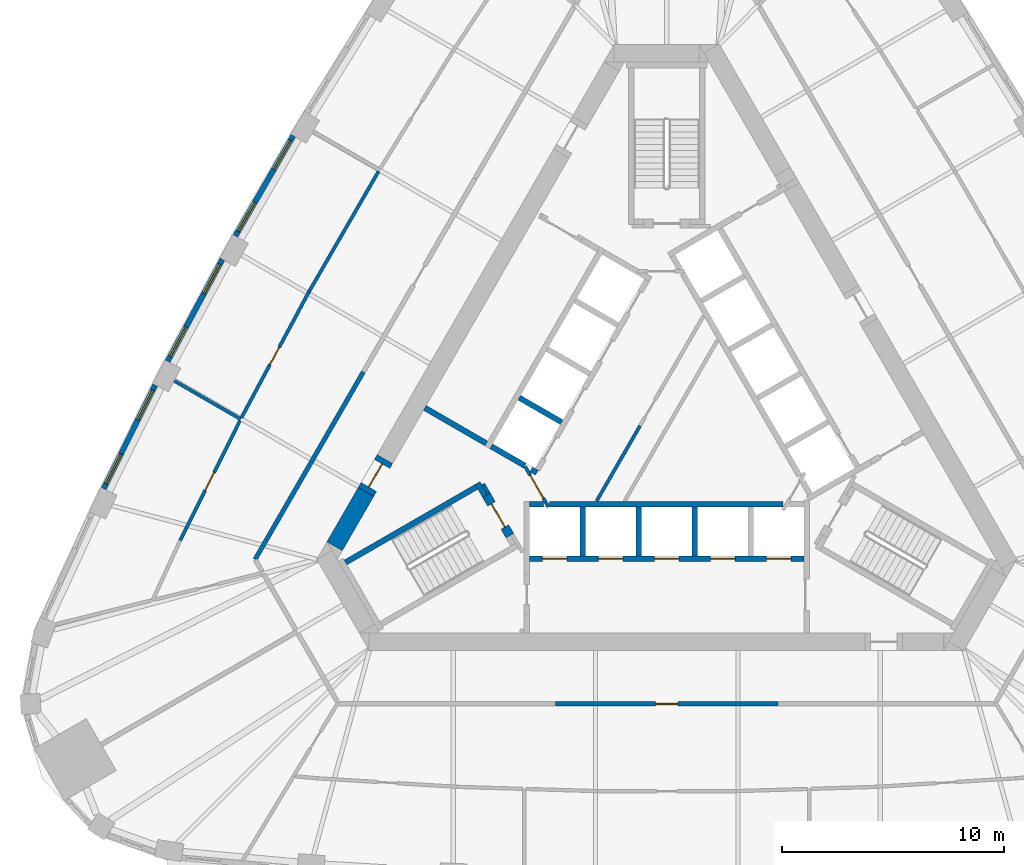
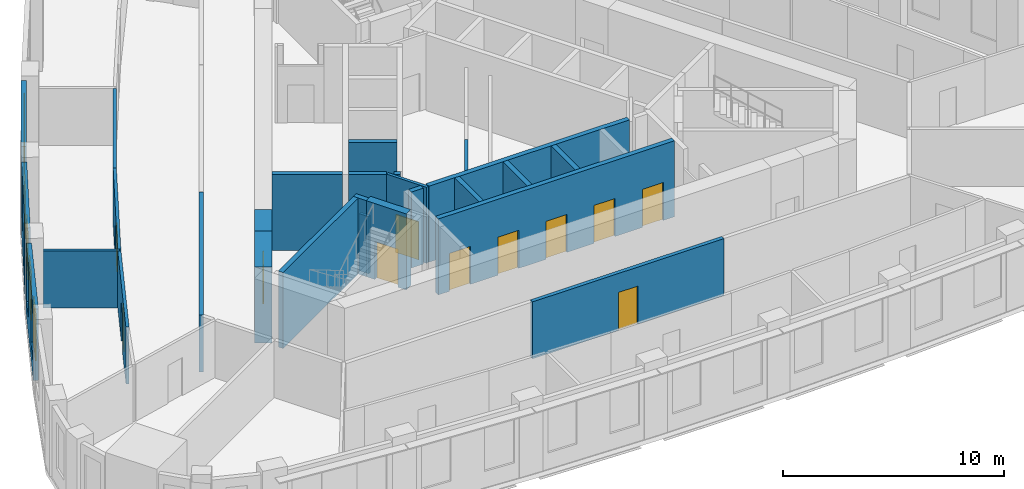
# One storey, part 4 of 10: 27 walls, 11 doors, 6 windows, 17 openings.
"""IFC4 building model written with IfcOpenShell, lengths in metres."""

from ifc_helpers import new_model, si_unit, direction, frame, frame_2d, origin, place, context, subcontext, project, spatial, rectangle, extrude, material, layer, layer_set, type_object, element, fill, save


model = new_model("IFC4")

# Units and contexts
model_context = context("Model", 3, precision=1e-05, world=origin(), true_north=direction((0.0, 1.0)))
body_context = subcontext(model_context, "Body", "Model", "MODEL_VIEW")
ifc_project = project(units=[si_unit("LENGTHUNIT", "METRE"), si_unit("AREAUNIT", "SQUARE_METRE"), si_unit("VOLUMEUNIT", "CUBIC_METRE"), si_unit("PLANEANGLEUNIT", "RADIAN"), si_unit("MASSUNIT", "GRAM", prefix="KILO")], contexts=[model_context])

# Site, building, storey
site_placement = place(None, origin())
site = spatial("IfcSite", under=ifc_project, at=site_placement, CompositionType="ELEMENT")
building_placement = place(site_placement, origin())
building = spatial("IfcBuilding", under=site, at=building_placement, Name="Mestral Congress Tower", CompositionType="ELEMENT")
storey_placement = place(building_placement, frame((0.0, 0.0, 150.0)))
storey = spatial("IfcBuildingStorey", under=building, at=storey_placement, Name="L35", CompositionType="ELEMENT", Elevation=150.0)

# Walls
ifc_material_1 = material(Name="Fire-rated board partition")
ifc_layer_1 = layer(ifc_material_1, 0.14990234375)
ifc_layer_set_1 = layer_set([ifc_layer_1], Name="Fire-rated board partition")
wall_type_1 = type_object("IfcWallType", Name="Core partition 150", PredefinedType="PARTITIONING", material=ifc_layer_set_1)
wall_1_placement = place(storey_placement, frame((-8.251953125, -2.958251953125, 0.0), z_axis=(0.0, 0.0, 1.0), x_axis=(0.500174715838, -0.865924508047, 0.0)))
element("IfcWall", 1, at=wall_1_placement, inside=storey, type_object=wall_type_1, Name="L35 core wall", PredefinedType="PARTITIONING", context=body_context, shape_type="SweptSolid", body=[
    extrude(rectangle(XDim=0.513916015625, YDim=0.14990234375, at=frame_2d((0.2568359375, 0.0))), origin(), (0.0, 0.0, 1.0), 3.14990234375),
])
wall_2_placement = place(storey_placement, frame((-3.146728515625, -3.71826171875, 0.0), z_axis=(0.0, 0.0, 1.0), x_axis=(0.500010131483, 0.866019554291, 0.0)))
element("IfcWall", 2, at=wall_2_placement, inside=storey, type_object=wall_type_1, Name="L35 core wall", PredefinedType="PARTITIONING", context=body_context, shape_type="SweptSolid", body=[
    extrude(rectangle(XDim=3.8935546875, YDim=0.14990234375, at=frame_2d((1.94677734375, 0.0))), origin(), (0.0, 0.0, 1.0), 3.14990234375),
])
ifc_material_2 = material(Name="Concrete C60/75", Category="concrete")
ifc_layer_2 = layer(ifc_material_2, 0.800048828125)
ifc_layer_set_2 = layer_set([ifc_layer_2], Name="Concrete C60/75")
wall_type_2 = type_object("IfcWallType", Name="Core wall RC 800", PredefinedType="SOLIDWALL", material=ifc_layer_set_2)
wall_3_placement = place(storey_placement, frame((-13.518310546875, -3.314208984375, 0.0), z_axis=(0.0, 0.0, 1.0), x_axis=(-0.499969377405, -0.866043083026, 0.0)))
element("IfcWall", 3, at=wall_3_placement, inside=storey, type_object=wall_type_2, Name="L35 core wall", PredefinedType="SOLIDWALL", context=body_context, shape_type="SweptSolid", body=[
    extrude(rectangle(XDim=2.824462890625, YDim=0.800048828125, at=frame_2d((1.412109375, 0.0))), origin(), (0.0, 0.0, 1.0), 4.199951171875),
])

# Wall, opening, door
wall_4_placement = place(storey_placement, frame((-13.518310546875, -3.314208984375, 0.0), z_axis=(0.0, 0.0, 1.0), x_axis=(0.500062241894, 0.865989465428, 0.0)))
wall_4 = element("IfcWall", 4, at=wall_4_placement, inside=storey, type_object=wall_type_2, Name="L35 door wall", PredefinedType="SOLIDWALL", context=body_context, shape_type="SweptSolid", body=[
    extrude(rectangle(XDim=1.699951171875, YDim=0.800048828125, at=frame_2d((0.85009765625, 0.0))), origin(), (0.0, 0.0, 1.0), 4.199951171875),
])
opening_1_placement = place(wall_4_placement, frame((0.25, 0.0, 0.0)))
opening_1 = element("IfcOpeningElement", 5, at=opening_1_placement, cuts=wall_4, Name="Opening XD3", PredefinedType="OPENING", context=body_context, shape_type="SweptSolid", body=[
    extrude(rectangle(XDim=1.199951171875, YDim=2.10009765625, at=frame_2d((0.60009765625, 1.050048828125))), frame((0.0, 0.409912109375, 0.0), z_axis=(0.0, -1.0, 0.0), x_axis=(1.0, 0.0, 0.0)), (0.0, 0.0, 1.0), 0.820068359375),
])
ifc_material_3 = material(Name="Fire-rated steel door set", Category="steel")
door_type_1 = type_object("IfcDoorType", Name="Core door XD 1200x2100", OperationType="SINGLE_SWING_LEFT", PredefinedType="DOOR", material=ifc_material_3)
door_1_placement = place(opening_1_placement, origin())
door_1 = element("IfcDoor", 6, at=door_1_placement, inside=storey, type_object=door_type_1, Name="Door XD3", OperationType="SINGLE_SWING_LEFT", OverallHeight=2.10009765625, OverallWidth=1.199951171875, PredefinedType="DOOR", context=body_context, shape_type="SweptSolid", body=[
    extrude(rectangle(XDim=1.199951171875, YDim=2.10009765625, at=frame_2d((0.60009765625, 1.050048828125))), frame((0.0, 0.02490234375, 0.0), z_axis=(0.0, -1.0, 0.0), x_axis=(1.0, 0.0, 0.0)), (0.0, 0.0, 1.0), 0.050048828125),
])
fill(opening_1, door_1)

# Wall, openings, windows
ifc_material_4 = material(Name="Precast concrete C40/50 with limestone facing", Category="masonry")
ifc_layer_3 = layer(ifc_material_4, 0.239990234375)
ifc_layer_set_3 = layer_set([ifc_layer_3], Name="Precast concrete C40/50 with limestone facing")
wall_type_3 = type_object("IfcWallType", Name="Facade stone wall 240", PredefinedType="SOLIDWALL", material=ifc_layer_set_3)
wall_5_placement = place(storey_placement, frame((-16.788818359375, 12.697265625, 0.0), z_axis=(0.0, 0.0, 1.0), x_axis=(-0.500009456303, -0.866019944116, 0.0)))
wall_5 = element("IfcWall", 7, at=wall_5_placement, inside=storey, type_object=wall_type_3, Name="Facade wall F2-03", PredefinedType="SOLIDWALL", context=body_context, shape_type="SweptSolid", body=[
    extrude(rectangle(XDim=5.20361328125, YDim=0.239990234375, at=frame_2d((2.601806640625, 0.0))), origin(), (0.0, 0.0, 1.0), 3.949951171875),
])
opening_2_placement = place(wall_5_placement, frame((0.248291015625, 0.0, 0.89990234375)))
opening_2 = element("IfcOpeningElement", 8, at=opening_2_placement, cuts=wall_5, Name="Opening W4", PredefinedType="OPENING", context=body_context, shape_type="SweptSolid", body=[
    extrude(rectangle(XDim=1.5, YDim=2.550048828125, at=frame_2d((0.75, 1.27490234375))), frame((0.0, 0.1298828125, 0.0), z_axis=(0.0, -1.0, 0.0), x_axis=(1.0, 0.0, 0.0)), (0.0, 0.0, 1.0), 0.260009765625),
])
opening_3_placement = place(wall_5_placement, frame((3.455078125, 0.0, 0.89990234375)))
opening_3 = element("IfcOpeningElement", 9, at=opening_3_placement, cuts=wall_5, Name="Opening W4", PredefinedType="OPENING", context=body_context, shape_type="SweptSolid", body=[
    extrude(rectangle(XDim=1.5, YDim=2.550048828125, at=frame_2d((0.75, 1.27490234375))), frame((0.0, 0.1298828125, 0.0), z_axis=(0.0, -1.0, 0.0), x_axis=(1.0, 0.0, 0.0)), (0.0, 0.0, 1.0), 0.260009765625),
])
ifc_material_5 = material(Name="Clear low-emissivity double glazing", Category="glass")
window_type = type_object("IfcWindowType", Name="Facade punched window 1500 x 2550 sill 900", PartitioningType="SINGLE_PANEL", PredefinedType="WINDOW", material=ifc_material_5)
window_1_placement = place(opening_2_placement, origin())
window_1 = element("IfcWindow", 10, at=window_1_placement, inside=storey, type_object=window_type, Name="Window F2-03a", OverallHeight=2.550048828125, OverallWidth=1.5, PartitioningType="SINGLE_PANEL", PredefinedType="WINDOW", context=body_context, shape_type="SweptSolid", body=[
    extrude(rectangle(XDim=1.5, YDim=2.550048828125, at=frame_2d((0.75, 1.27490234375))), frame((0.0, 0.0400390625, 0.0), z_axis=(0.0, -1.0, 0.0), x_axis=(1.0, 0.0, 0.0)), (0.0, 0.0, 1.0), 0.06005859375),
])
fill(opening_2, window_1)
window_2_placement = place(opening_3_placement, origin())
window_2 = element("IfcWindow", 11, at=window_2_placement, inside=storey, type_object=window_type, Name="Window F2-03b", OverallHeight=2.550048828125, OverallWidth=1.5, PartitioningType="SINGLE_PANEL", PredefinedType="WINDOW", context=body_context, shape_type="SweptSolid", body=[
    extrude(rectangle(XDim=1.5, YDim=2.550048828125, at=frame_2d((0.75, 1.27490234375))), frame((0.0, 0.0400390625, 0.0), z_axis=(0.0, -1.0, 0.0), x_axis=(1.0, 0.0, 0.0)), (0.0, 0.0, 1.0), 0.06005859375),
])
fill(opening_3, window_2)

wall_6_placement = place(storey_placement, frame((-19.976806640625, 7.138671875, 0.0), z_axis=(0.0, 0.0, 1.0), x_axis=(-0.473349833294, -0.880874528704, 0.0)))
wall_6 = element("IfcWall", 12, at=wall_6_placement, inside=storey, type_object=wall_type_3, Name="Facade wall F2-04", PredefinedType="SOLIDWALL", context=body_context, shape_type="SweptSolid", body=[
    extrude(rectangle(XDim=5.20361328125, YDim=0.239990234375, at=frame_2d((2.601806640625, 0.0))), origin(), (0.0, 0.0, 1.0), 3.949951171875),
])
opening_4_placement = place(wall_6_placement, frame((0.248291015625, 0.0, 0.89990234375)))
opening_4 = element("IfcOpeningElement", 13, at=opening_4_placement, cuts=wall_6, Name="Opening W4", PredefinedType="OPENING", context=body_context, shape_type="SweptSolid", body=[
    extrude(rectangle(XDim=1.5, YDim=2.550048828125, at=frame_2d((0.75, 1.27490234375))), frame((0.0, 0.1298828125, 0.0), z_axis=(0.0, -1.0, 0.0), x_axis=(1.0, 0.0, 0.0)), (0.0, 0.0, 1.0), 0.260009765625),
])
opening_5_placement = place(wall_6_placement, frame((3.455078125, 0.0, 0.89990234375)))
opening_5 = element("IfcOpeningElement", 14, at=opening_5_placement, cuts=wall_6, Name="Opening W4", PredefinedType="OPENING", context=body_context, shape_type="SweptSolid", body=[
    extrude(rectangle(XDim=1.5, YDim=2.550048828125, at=frame_2d((0.75, 1.27490234375))), frame((0.0, 0.1298828125, 0.0), z_axis=(0.0, -1.0, 0.0), x_axis=(1.0, 0.0, 0.0)), (0.0, 0.0, 1.0), 0.260009765625),
])
window_3_placement = place(opening_4_placement, origin())
window_3 = element("IfcWindow", 15, at=window_3_placement, inside=storey, type_object=window_type, Name="Window F2-04a", OverallHeight=2.550048828125, OverallWidth=1.5, PartitioningType="SINGLE_PANEL", PredefinedType="WINDOW", context=body_context, shape_type="SweptSolid", body=[
    extrude(rectangle(XDim=1.5, YDim=2.550048828125, at=frame_2d((0.75, 1.27490234375))), frame((0.0, 0.0400390625, 0.0), z_axis=(0.0, -1.0, 0.0), x_axis=(1.0, 0.0, 0.0)), (0.0, 0.0, 1.0), 0.06005859375),
])
fill(opening_4, window_3)
window_4_placement = place(opening_5_placement, origin())
window_4 = element("IfcWindow", 16, at=window_4_placement, inside=storey, type_object=window_type, Name="Window F2-04b", OverallHeight=2.550048828125, OverallWidth=1.5, PartitioningType="SINGLE_PANEL", PredefinedType="WINDOW", context=body_context, shape_type="SweptSolid", body=[
    extrude(rectangle(XDim=1.5, YDim=2.550048828125, at=frame_2d((0.75, 1.27490234375))), frame((0.0, 0.0400390625, 0.0), z_axis=(0.0, -1.0, 0.0), x_axis=(1.0, 0.0, 0.0)), (0.0, 0.0, 1.0), 0.06005859375),
])
fill(opening_5, window_4)

wall_7_placement = place(storey_placement, frame((-22.993896484375, 1.485107421875, 0.0), z_axis=(0.0, 0.0, 1.0), x_axis=(-0.446256171312, -0.8949052629, 0.0)))
wall_7 = element("IfcWall", 17, at=wall_7_placement, inside=storey, type_object=wall_type_3, Name="Facade wall F2-05", PredefinedType="SOLIDWALL", context=body_context, shape_type="SweptSolid", body=[
    extrude(rectangle(XDim=5.203369140625, YDim=0.239990234375, at=frame_2d((2.6015625, 0.0))), origin(), (0.0, 0.0, 1.0), 3.949951171875),
])
opening_6_placement = place(wall_7_placement, frame((0.248291015625, 0.0, 0.89990234375)))
opening_6 = element("IfcOpeningElement", 18, at=opening_6_placement, cuts=wall_7, Name="Opening W4", PredefinedType="OPENING", context=body_context, shape_type="SweptSolid", body=[
    extrude(rectangle(XDim=1.5, YDim=2.550048828125, at=frame_2d((0.75, 1.27490234375))), frame((0.0, 0.1298828125, 0.0), z_axis=(0.0, -1.0, 0.0), x_axis=(1.0, 0.0, 0.0)), (0.0, 0.0, 1.0), 0.260009765625),
])
opening_7_placement = place(wall_7_placement, frame((3.455078125, 0.0, 0.89990234375)))
opening_7 = element("IfcOpeningElement", 19, at=opening_7_placement, cuts=wall_7, Name="Opening W4", PredefinedType="OPENING", context=body_context, shape_type="SweptSolid", body=[
    extrude(rectangle(XDim=1.5, YDim=2.550048828125, at=frame_2d((0.75, 1.27490234375))), frame((0.0, 0.1298828125, 0.0), z_axis=(0.0, -1.0, 0.0), x_axis=(1.0, 0.0, 0.0)), (0.0, 0.0, 1.0), 0.260009765625),
])
window_5_placement = place(opening_6_placement, origin())
window_5 = element("IfcWindow", 20, at=window_5_placement, inside=storey, type_object=window_type, Name="Window F2-05a", OverallHeight=2.550048828125, OverallWidth=1.5, PartitioningType="SINGLE_PANEL", PredefinedType="WINDOW", context=body_context, shape_type="SweptSolid", body=[
    extrude(rectangle(XDim=1.5, YDim=2.550048828125, at=frame_2d((0.75, 1.27490234375))), frame((0.0, 0.0400390625, 0.0), z_axis=(0.0, -1.0, 0.0), x_axis=(1.0, 0.0, 0.0)), (0.0, 0.0, 1.0), 0.06005859375),
])
fill(opening_6, window_5)
window_6_placement = place(opening_7_placement, origin())
window_6 = element("IfcWindow", 21, at=window_6_placement, inside=storey, type_object=window_type, Name="Window F2-05b", OverallHeight=2.550048828125, OverallWidth=1.5, PartitioningType="SINGLE_PANEL", PredefinedType="WINDOW", context=body_context, shape_type="SweptSolid", body=[
    extrude(rectangle(XDim=1.5, YDim=2.550048828125, at=frame_2d((0.75, 1.27490234375))), frame((0.0, 0.0400390625, 0.0), z_axis=(0.0, -1.0, 0.0), x_axis=(1.0, 0.0, 0.0)), (0.0, 0.0, 1.0), 0.06005859375),
])
fill(opening_7, window_6)

# Walls
ifc_material_6 = material(Name="Plasterboard partition on steel studs", Category="steel")
ifc_layer_4 = layer(ifc_material_6, 0.14990234375)
ifc_layer_set_4 = layer_set([ifc_layer_4], Name="Plasterboard partition on steel studs")
wall_type_4 = type_object("IfcWallType", Name="Office partition 150", PredefinedType="PARTITIONING", material=ifc_layer_set_4)
wall_8_placement = place(storey_placement, frame((-19.15380859375, -0.04638671875, 0.0), z_axis=(0.0, 0.0, 1.0), x_axis=(-0.866051136095, 0.499955427682, 0.0)))
element("IfcWall", 22, at=wall_8_placement, inside=storey, type_object=wall_type_4, Name="Partition", PredefinedType="PARTITIONING", context=body_context, shape_type="SweptSolid", body=[
    extrude(rectangle(XDim=3.447021484375, YDim=0.14990234375, at=frame_2d((1.7236328125, 0.0))), origin(), (0.0, 0.0, 1.0), 3.14990234375),
])
wall_9_placement = place(storey_placement, frame((-12.9541015625, 11.09521484375, 0.0), z_axis=(0.0, 0.0, 1.0), x_axis=(-0.500282785331, -0.865862076027, 0.0)))
element("IfcWall", 23, at=wall_9_placement, inside=storey, type_object=wall_type_4, Name="Partition", PredefinedType="PARTITIONING", context=body_context, shape_type="SweptSolid", body=[
    extrude(rectangle(XDim=6.272705078125, YDim=0.14990234375, at=frame_2d((3.13623046875, 0.0))), origin(), (0.0, 0.0, 1.0), 3.14990234375),
])

# Wall, opening, door
wall_10_placement = place(storey_placement, frame((-19.118408203125, 0.01953125, 0.0), z_axis=(0.0, 0.0, 1.0), x_axis=(0.47251230182, 0.88132407469, 0.0)))
wall_10 = element("IfcWall", 24, at=wall_10_placement, inside=storey, type_object=wall_type_4, Name="Partition", PredefinedType="PARTITIONING", context=body_context, shape_type="SweptSolid", body=[
    extrude(rectangle(XDim=6.404296875, YDim=0.14990234375, at=frame_2d((3.2021484375, 0.0))), origin(), (0.0, 0.0, 1.0), 3.14990234375),
])
opening_8_placement = place(wall_10_placement, frame((2.7041015625, 0.0, 0.0)))
opening_8 = element("IfcOpeningElement", 25, at=opening_8_placement, cuts=wall_10, Name="Opening O01-015", PredefinedType="OPENING", context=body_context, shape_type="SweptSolid", body=[
    extrude(rectangle(XDim=0.89990234375, YDim=2.10009765625, at=frame_2d((0.449951171875, 1.050048828125))), frame((0.0, 0.0849609375, 0.0), z_axis=(0.0, -1.0, 0.0), x_axis=(1.0, 0.0, 0.0)), (0.0, 0.0, 1.0), 0.169921875),
])
ifc_material_7 = material(Name="Timber door set", Category="wood")
door_type_2 = type_object("IfcDoorType", Name="Office door 900x2100", OperationType="SINGLE_SWING_LEFT", PredefinedType="DOOR", material=ifc_material_7)
door_2_placement = place(opening_8_placement, origin())
door_2 = element("IfcDoor", 26, at=door_2_placement, inside=storey, type_object=door_type_2, Name="Door O01-015", OperationType="SINGLE_SWING_LEFT", OverallHeight=2.10009765625, OverallWidth=0.89990234375, PredefinedType="DOOR", context=body_context, shape_type="SweptSolid", body=[
    extrude(rectangle(XDim=0.89990234375, YDim=2.10009765625, at=frame_2d((0.449951171875, 1.050048828125))), frame((0.0, 0.02490234375, 0.0), z_axis=(0.0, -1.0, 0.0), x_axis=(1.0, 0.0, 0.0)), (0.0, 0.0, 1.0), 0.050048828125),
])
fill(opening_8, door_2)

wall_11_placement = place(storey_placement, frame((-21.869384765625, -5.492919921875, 0.0), z_axis=(0.0, 0.0, 1.0), x_axis=(0.44618972677, 0.894938393257, 0.0)))
wall_11 = element("IfcWall", 27, at=wall_11_placement, inside=storey, type_object=wall_type_4, Name="Partition", PredefinedType="PARTITIONING", context=body_context, shape_type="SweptSolid", body=[
    extrude(rectangle(XDim=6.0107421875, YDim=0.14990234375, at=frame_2d((3.00537109375, 0.0))), origin(), (0.0, 0.0, 1.0), 3.14990234375),
])
opening_9_placement = place(wall_11_placement, frame((2.5107421875, 0.0, 0.0)))
opening_9 = element("IfcOpeningElement", 28, at=opening_9_placement, cuts=wall_11, Name="Opening O01-016", PredefinedType="OPENING", context=body_context, shape_type="SweptSolid", body=[
    extrude(rectangle(XDim=0.89990234375, YDim=2.10009765625, at=frame_2d((0.449951171875, 1.050048828125))), frame((0.0, 0.0849609375, 0.0), z_axis=(0.0, -1.0, 0.0), x_axis=(1.0, 0.0, 0.0)), (0.0, 0.0, 1.0), 0.169921875),
])
door_3_placement = place(opening_9_placement, origin())
door_3 = element("IfcDoor", 29, at=door_3_placement, inside=storey, type_object=door_type_2, Name="Door O01-016", OperationType="SINGLE_SWING_LEFT", OverallHeight=2.10009765625, OverallWidth=0.89990234375, PredefinedType="DOOR", context=body_context, shape_type="SweptSolid", body=[
    extrude(rectangle(XDim=0.89990234375, YDim=2.10009765625, at=frame_2d((0.449951171875, 1.050048828125))), frame((0.0, 0.02490234375, 0.0), z_axis=(0.0, -1.0, 0.0), x_axis=(1.0, 0.0, 0.0)), (0.0, 0.0, 1.0), 0.050048828125),
])
fill(opening_9, door_3)

ifc_material_8 = material(Name="Dense masonry wall, plastered", Category="masonry")
ifc_layer_5 = layer(ifc_material_8, 0.199951171875)
ifc_layer_set_5 = layer_set([ifc_layer_5], Name="Dense masonry wall, plastered")
wall_type_5 = type_object("IfcWallType", Name="Office tenancy wall 200", PredefinedType="PARTITIONING", material=ifc_layer_set_5)
wall_12_placement = place(storey_placement, frame((-5.0, -12.85009765625, 0.0), z_axis=(0.0, 0.0, 1.0), x_axis=(1.0, 0.0, 0.0)))
wall_12 = element("IfcWall", 30, at=wall_12_placement, inside=storey, type_object=wall_type_5, Name="Tenancy wall", PredefinedType="PARTITIONING", context=body_context, shape_type="SweptSolid", body=[
    extrude(rectangle(XDim=10.0, YDim=0.199951171875, at=frame_2d((5.0, 0.0))), origin(), (0.0, 0.0, 1.0), 3.14990234375),
])
opening_10_placement = place(wall_12_placement, frame((4.5, 0.0, 0.0)))
opening_10 = element("IfcOpeningElement", 31, at=opening_10_placement, cuts=wall_12, Name="Opening O01-005", PredefinedType="OPENING", context=body_context, shape_type="SweptSolid", body=[
    extrude(rectangle(XDim=1.0, YDim=2.10009765625, at=frame_2d((0.5, 1.050048828125))), frame((0.0, 0.10986328125, 0.0), z_axis=(0.0, -1.0, 0.0), x_axis=(1.0, 0.0, 0.0)), (0.0, 0.0, 1.0), 0.219970703125),
])
ifc_material_9 = material(Name="Fire-rated timber door set", Category="wood")
door_type_3 = type_object("IfcDoorType", Name="Office tenancy entrance door 1000x2100", OperationType="SINGLE_SWING_LEFT", PredefinedType="DOOR", material=ifc_material_9)
door_4_placement = place(opening_10_placement, origin())
door_4 = element("IfcDoor", 32, at=door_4_placement, inside=storey, type_object=door_type_3, Name="Door O01-005", OperationType="SINGLE_SWING_RIGHT", OverallHeight=2.10009765625, OverallWidth=1.0, PredefinedType="DOOR", context=body_context, shape_type="SweptSolid", body=[
    extrude(rectangle(XDim=1.0, YDim=2.10009765625, at=frame_2d((0.5, 1.050048828125))), frame((0.0, 0.02490234375, 0.0), z_axis=(0.0, -1.0, 0.0), x_axis=(1.0, 0.0, 0.0)), (0.0, 0.0, 1.0), 0.050048828125),
])
fill(opening_10, door_4)

# Walls
wall_13_placement = place(storey_placement, frame((-13.643310546875, 2.06884765625, 0.0), z_axis=(0.0, 0.0, 1.0), x_axis=(-0.500012305324, -0.866018299186, 0.0)))
element("IfcWall", 33, at=wall_13_placement, inside=storey, type_object=wall_type_5, Name="Tenancy wall", PredefinedType="PARTITIONING", context=body_context, shape_type="SweptSolid", body=[
    extrude(rectangle(XDim=9.721435546875, YDim=0.199951171875, at=frame_2d((4.86083984375, 0.0))), origin(), (0.0, 0.0, 1.0), 3.14990234375),
])
ifc_layer_6 = layer(ifc_material_2, 0.25)
ifc_layer_set_6 = layer_set([ifc_layer_6], Name="Concrete C60/75")
wall_type_6 = type_object("IfcWallType", Name="Shaft wall RC 250", PredefinedType="SOLIDWALL", material=ifc_layer_set_6)
wall_14_placement = place(storey_placement, frame((-5.25927734375, -3.875, 0.0), z_axis=(0.0, 0.0, 1.0), x_axis=(1.0, 0.0, 0.0)))
element("IfcWall", 34, at=wall_14_placement, inside=storey, type_object=wall_type_6, Name="L35 core wall", PredefinedType="SOLIDWALL", context=body_context, shape_type="SweptSolid", body=[
    extrude(rectangle(XDim=10.488525390625, YDim=0.25, at=frame_2d((5.244140625, 0.0))), origin(), (0.0, 0.0, 1.0), 4.199951171875),
])
for number, where, z_axis, x_axis, name in (
    (35, (1.260009765625, -4.0, 0.0), (0.0, 0.0, 1.0), (0.0, -1.0, 0.0), "L35 core wall"),
    (36, (-1.260009765625, -4.0, 0.0), (0.0, 0.0, 1.0), (0.0, -1.0, 0.0), "L35 core wall"),
    (37, (-3.780029296875, -4.0, 0.0), (0.0, 0.0, 1.0), (0.0, -1.0, 0.0), "L35 core wall"),
):
    element("IfcWall", number, at=place(storey_placement, frame(where, z_axis=z_axis, x_axis=x_axis)), inside=storey, type_object=wall_type_6, Name=name, PredefinedType="SOLIDWALL", context=body_context, shape_type="SweptSolid", body=[
        extrude(rectangle(XDim=2.199951171875, YDim=0.25, at=frame_2d((1.10009765625, 0.0))), origin(), (0.0, 0.0, 1.0), 4.199951171875),
    ])
wall_15_placement = place(storey_placement, frame((-6.175048828125, -3.875, 0.0), z_axis=(0.0, 0.0, 1.0), x_axis=(1.0, 0.0, 0.0)))
element("IfcWall", 38, at=wall_15_placement, inside=storey, type_object=wall_type_6, Name="L35 core wall", PredefinedType="SOLIDWALL", context=body_context, shape_type="SweptSolid", body=[
    extrude(rectangle(XDim=0.63671875, YDim=0.25, at=frame_2d((0.318359375, 0.0))), origin(), (0.0, 0.0, 1.0), 4.199951171875),
])
wall_16_placement = place(storey_placement, frame((-4.72412109375, -0.182373046875, 0.0), z_axis=(0.0, 0.0, 1.0), x_axis=(-0.866008176907, 0.50002983664, 0.0)))
element("IfcWall", 39, at=wall_16_placement, inside=storey, type_object=wall_type_6, Name="L35 core wall", PredefinedType="SOLIDWALL", context=body_context, shape_type="SweptSolid", body=[
    extrude(rectangle(XDim=2.199951171875, YDim=0.25, at=frame_2d((1.10009765625, 0.0))), origin(), (0.0, 0.0, 1.0), 4.199951171875),
])
wall_17_placement = place(storey_placement, frame((-6.088134765625, -2.3046875, 0.0), z_axis=(0.0, 0.0, 1.0), x_axis=(0.866059450854, -0.499941024108, 0.0)))
element("IfcWall", 40, at=wall_17_placement, inside=storey, type_object=wall_type_6, Name="L35 core wall", PredefinedType="SOLIDWALL", context=body_context, shape_type="SweptSolid", body=[
    extrude(rectangle(XDim=0.2900390625, YDim=0.25, at=frame_2d((0.14501953125, 0.0))), origin(), (0.0, 0.0, 1.0), 4.199951171875),
])
wall_18_placement = place(storey_placement, frame((-7.889404296875, -1.2646484375, 0.0), z_axis=(0.0, 0.0, 1.0), x_axis=(0.865986741702, -0.500066958712, 0.0)))
element("IfcWall", 41, at=wall_18_placement, inside=storey, type_object=wall_type_6, Name="L35 core wall", PredefinedType="SOLIDWALL", context=body_context, shape_type="SweptSolid", body=[
    extrude(rectangle(XDim=1.738037109375, YDim=0.25, at=frame_2d((0.869140625, 0.0))), origin(), (0.0, 0.0, 1.0), 4.199951171875),
])
wall_19_placement = place(storey_placement, frame((-8.10595703125, -1.139892578125, 0.0), z_axis=(0.0, 0.0, 1.0), x_axis=(-0.866008981251, 0.500028443584, 0.0)))
element("IfcWall", 42, at=wall_19_placement, inside=storey, type_object=wall_type_6, Name="L35 core wall", PredefinedType="SOLIDWALL", context=body_context, shape_type="SweptSolid", body=[
    extrude(rectangle(XDim=3.199951171875, YDim=0.25, at=frame_2d((1.60009765625, 0.0))), origin(), (0.0, 0.0, 1.0), 4.199951171875),
])

# Wall, openings, doors
wall_20_placement = place(storey_placement, frame((-6.175048828125, -6.324951171875, 0.0), z_axis=(0.0, 0.0, 1.0), x_axis=(1.0, 0.0, 0.0)))
wall_20 = element("IfcWall", 43, at=wall_20_placement, inside=storey, type_object=wall_type_6, Name="L35 door wall", PredefinedType="SOLIDWALL", context=body_context, shape_type="SweptSolid", body=[
    extrude(rectangle(XDim=12.35009765625, YDim=0.25, at=frame_2d((6.175048828125, 0.0))), origin(), (0.0, 0.0, 1.0), 4.199951171875),
])
opening_11_placement = place(wall_20_placement, frame((0.5849609375, 0.0, 0.0)))
opening_11 = element("IfcOpeningElement", 44, at=opening_11_placement, cuts=wall_20, Name="Opening LD-SOB1", PredefinedType="OPENING", context=body_context, shape_type="SweptSolid", body=[
    extrude(rectangle(XDim=1.10009765625, YDim=2.10009765625, at=frame_2d((0.550048828125, 1.050048828125))), frame((0.0, 0.135009765625, 0.0), z_axis=(0.0, -1.0, 0.0), x_axis=(1.0, 0.0, 0.0)), (0.0, 0.0, 1.0), 0.27001953125),
])
opening_12_placement = place(wall_20_placement, frame((3.10498046875, 0.0, 0.0)))
opening_12 = element("IfcOpeningElement", 45, at=opening_12_placement, cuts=wall_20, Name="Opening LD-SOB2", PredefinedType="OPENING", context=body_context, shape_type="SweptSolid", body=[
    extrude(rectangle(XDim=1.10009765625, YDim=2.10009765625, at=frame_2d((0.550048828125, 1.050048828125))), frame((0.0, 0.135009765625, 0.0), z_axis=(0.0, -1.0, 0.0), x_axis=(1.0, 0.0, 0.0)), (0.0, 0.0, 1.0), 0.27001953125),
])
opening_13_placement = place(wall_20_placement, frame((5.625, 0.0, 0.0)))
opening_13 = element("IfcOpeningElement", 46, at=opening_13_placement, cuts=wall_20, Name="Opening LD-SOB3", PredefinedType="OPENING", context=body_context, shape_type="SweptSolid", body=[
    extrude(rectangle(XDim=1.10009765625, YDim=2.10009765625, at=frame_2d((0.550048828125, 1.050048828125))), frame((0.0, 0.135009765625, 0.0), z_axis=(0.0, -1.0, 0.0), x_axis=(1.0, 0.0, 0.0)), (0.0, 0.0, 1.0), 0.27001953125),
])
opening_14_placement = place(wall_20_placement, frame((8.14501953125, 0.0, 0.0)))
opening_14 = element("IfcOpeningElement", 47, at=opening_14_placement, cuts=wall_20, Name="Opening LD-SOB4", PredefinedType="OPENING", context=body_context, shape_type="SweptSolid", body=[
    extrude(rectangle(XDim=1.10009765625, YDim=2.10009765625, at=frame_2d((0.550048828125, 1.050048828125))), frame((0.0, 0.135009765625, 0.0), z_axis=(0.0, -1.0, 0.0), x_axis=(1.0, 0.0, 0.0)), (0.0, 0.0, 1.0), 0.27001953125),
])
opening_15_placement = place(wall_20_placement, frame((10.6650390625, 0.0, 0.0)))
opening_15 = element("IfcOpeningElement", 48, at=opening_15_placement, cuts=wall_20, Name="Opening LD-SOB5", PredefinedType="OPENING", context=body_context, shape_type="SweptSolid", body=[
    extrude(rectangle(XDim=1.10009765625, YDim=2.10009765625, at=frame_2d((0.550048828125, 1.050048828125))), frame((0.0, 0.135009765625, 0.0), z_axis=(0.0, -1.0, 0.0), x_axis=(1.0, 0.0, 0.0)), (0.0, 0.0, 1.0), 0.27001953125),
])
door_type_4 = type_object("IfcDoorType", Name="Core door LD 1100x2100", OperationType="DOUBLE_DOOR_SLIDING", PredefinedType="DOOR", material=ifc_material_3)
door_5_placement = place(opening_11_placement, origin())
door_5 = element("IfcDoor", 49, at=door_5_placement, inside=storey, type_object=door_type_4, Name="Door LD-SOB1", OperationType="DOUBLE_DOOR_SLIDING", OverallHeight=2.10009765625, OverallWidth=1.10009765625, PredefinedType="DOOR", context=body_context, shape_type="SweptSolid", body=[
    extrude(rectangle(XDim=1.10009765625, YDim=2.10009765625, at=frame_2d((0.550048828125, 1.050048828125))), frame((0.0, 0.02490234375, 0.0), z_axis=(0.0, -1.0, 0.0), x_axis=(1.0, 0.0, 0.0)), (0.0, 0.0, 1.0), 0.050048828125),
])
fill(opening_11, door_5)
door_6_placement = place(opening_12_placement, origin())
door_6 = element("IfcDoor", 50, at=door_6_placement, inside=storey, type_object=door_type_4, Name="Door LD-SOB2", OperationType="DOUBLE_DOOR_SLIDING", OverallHeight=2.10009765625, OverallWidth=1.10009765625, PredefinedType="DOOR", context=body_context, shape_type="SweptSolid", body=[
    extrude(rectangle(XDim=1.10009765625, YDim=2.10009765625, at=frame_2d((0.550048828125, 1.050048828125))), frame((0.0, 0.02490234375, 0.0), z_axis=(0.0, -1.0, 0.0), x_axis=(1.0, 0.0, 0.0)), (0.0, 0.0, 1.0), 0.050048828125),
])
fill(opening_12, door_6)
door_7_placement = place(opening_13_placement, origin())
door_7 = element("IfcDoor", 51, at=door_7_placement, inside=storey, type_object=door_type_4, Name="Door LD-SOB3", OperationType="DOUBLE_DOOR_SLIDING", OverallHeight=2.10009765625, OverallWidth=1.10009765625, PredefinedType="DOOR", context=body_context, shape_type="SweptSolid", body=[
    extrude(rectangle(XDim=1.10009765625, YDim=2.10009765625, at=frame_2d((0.550048828125, 1.050048828125))), frame((0.0, 0.02490234375, 0.0), z_axis=(0.0, -1.0, 0.0), x_axis=(1.0, 0.0, 0.0)), (0.0, 0.0, 1.0), 0.050048828125),
])
fill(opening_13, door_7)
door_8_placement = place(opening_14_placement, origin())
door_8 = element("IfcDoor", 52, at=door_8_placement, inside=storey, type_object=door_type_4, Name="Door LD-SOB4", OperationType="DOUBLE_DOOR_SLIDING", OverallHeight=2.10009765625, OverallWidth=1.10009765625, PredefinedType="DOOR", context=body_context, shape_type="SweptSolid", body=[
    extrude(rectangle(XDim=1.10009765625, YDim=2.10009765625, at=frame_2d((0.550048828125, 1.050048828125))), frame((0.0, 0.02490234375, 0.0), z_axis=(0.0, -1.0, 0.0), x_axis=(1.0, 0.0, 0.0)), (0.0, 0.0, 1.0), 0.050048828125),
])
fill(opening_14, door_8)
door_9_placement = place(opening_15_placement, origin())
door_9 = element("IfcDoor", 53, at=door_9_placement, inside=storey, type_object=door_type_4, Name="Door LD-SOB5", OperationType="DOUBLE_DOOR_SLIDING", OverallHeight=2.10009765625, OverallWidth=1.10009765625, PredefinedType="DOOR", context=body_context, shape_type="SweptSolid", body=[
    extrude(rectangle(XDim=1.10009765625, YDim=2.10009765625, at=frame_2d((0.550048828125, 1.050048828125))), frame((0.0, 0.02490234375, 0.0), z_axis=(0.0, -1.0, 0.0), x_axis=(1.0, 0.0, 0.0)), (0.0, 0.0, 1.0), 0.050048828125),
])
fill(opening_15, door_9)

# Wall, opening, door
ifc_layer_7 = layer(ifc_material_2, 0.14990234375)
ifc_layer_set_7 = layer_set([ifc_layer_7], Name="Concrete C60/75")
wall_type_7 = type_object("IfcWallType", Name="Shaft wall RC 250 door-wall 150", PredefinedType="SOLIDWALL", material=ifc_layer_set_7)
wall_21_placement = place(storey_placement, frame((-5.3173828125, -3.98974609375, 0.0), z_axis=(0.0, 0.0, 1.0), x_axis=(-0.500027713859, 0.866009402589, 0.0)))
wall_21 = element("IfcWall", 54, at=wall_21_placement, inside=storey, type_object=wall_type_7, Name="L35 door wall", PredefinedType="PARTITIONING", context=body_context, shape_type="SweptSolid", body=[
    extrude(rectangle(XDim=2.10009765625, YDim=0.14990234375, at=frame_2d((1.050048828125, 0.0))), origin(), (0.0, 0.0, 1.0), 4.199951171875),
])
opening_16_placement = place(wall_21_placement, frame((0.449951171875, 0.0, 0.0)))
opening_16 = element("IfcOpeningElement", 55, at=opening_16_placement, cuts=wall_21, Name="Opening CD3-FF", PredefinedType="OPENING", context=body_context, shape_type="SweptSolid", body=[
    extrude(rectangle(XDim=1.199951171875, YDim=2.10009765625, at=frame_2d((0.60009765625, 1.050048828125))), frame((0.0, 0.0849609375, 0.0), z_axis=(0.0, -1.0, 0.0), x_axis=(1.0, 0.0, 0.0)), (0.0, 0.0, 1.0), 0.169921875),
])
door_type_5 = type_object("IfcDoorType", Name="Core door CD 1200x2100", OperationType="SINGLE_SWING_LEFT", PredefinedType="DOOR", material=ifc_material_3)
door_10_placement = place(opening_16_placement, origin())
door_10 = element("IfcDoor", 56, at=door_10_placement, inside=storey, type_object=door_type_5, Name="Door CD3-FF", OperationType="SINGLE_SWING_LEFT", OverallHeight=2.10009765625, OverallWidth=1.199951171875, PredefinedType="DOOR", context=body_context, shape_type="SweptSolid", body=[
    extrude(rectangle(XDim=1.199951171875, YDim=2.10009765625, at=frame_2d((0.60009765625, 1.050048828125))), frame((0.0, 0.02490234375, 0.0), z_axis=(0.0, -1.0, 0.0), x_axis=(1.0, 0.0, 0.0)), (0.0, 0.0, 1.0), 0.050048828125),
])
fill(opening_16, door_10)

# Walls
ifc_layer_8 = layer(ifc_material_2, 0.25)
ifc_layer_set_8 = layer_set([ifc_layer_8], Name="Concrete C60/75")
wall_type_8 = type_object("IfcWallType", Name="Stair wall RC 250", PredefinedType="SOLIDWALL", material=ifc_layer_set_8)
wall_22_placement = place(storey_placement, frame((-14.43994140625, -6.489501953125, 0.0), z_axis=(0.0, 0.0, 1.0), x_axis=(0.866022966069, 0.500004222222, 0.0)))
element("IfcWall", 57, at=wall_22_placement, inside=storey, type_object=wall_type_8, Name="L35 core wall", PredefinedType="SOLIDWALL", context=body_context, shape_type="SweptSolid", body=[
    extrude(rectangle(XDim=6.80029296875, YDim=0.25, at=frame_2d((3.400146484375, 0.0))), origin(), (0.0, 0.0, 1.0), 4.199951171875),
])
wall_23_placement = place(storey_placement, frame((-8.167724609375, -3.503173828125, 0.0), z_axis=(0.0, 0.0, 1.0), x_axis=(-0.499952099219, 0.866053057547, 0.0)))
element("IfcWall", 58, at=wall_23_placement, inside=storey, type_object=wall_type_8, Name="L35 core wall", PredefinedType="SOLIDWALL", context=body_context, shape_type="SweptSolid", body=[
    extrude(rectangle(XDim=0.6748046875, YDim=0.25, at=frame_2d((0.33740234375, 0.0))), origin(), (0.0, 0.0, 1.0), 4.199951171875),
])

# Wall, opening, door
ifc_layer_9 = layer(ifc_material_2, 0.39990234375)
ifc_layer_set_9 = layer_set([ifc_layer_9], Name="Concrete C60/75")
wall_type_9 = type_object("IfcWallType", Name="Stair wall RC 250 door-wall 400", PredefinedType="SOLIDWALL", material=ifc_layer_set_9)
wall_24_placement = place(storey_placement, frame((-8.102783203125, -3.4658203125, 0.0), z_axis=(0.0, 0.0, 1.0), x_axis=(0.500078061341, -0.865980330357, 0.0)))
wall_24 = element("IfcWall", 59, at=wall_24_placement, inside=storey, type_object=wall_type_9, Name="L35 door wall", PredefinedType="SOLIDWALL", context=body_context, shape_type="SweptSolid", body=[
    extrude(rectangle(XDim=2.099853515625, YDim=0.39990234375, at=frame_2d((1.0498046875, 0.0))), origin(), (0.0, 0.0, 1.0), 4.199951171875),
])
opening_17_placement = place(wall_24_placement, frame((0.449951171875, 0.0, 0.0)))
opening_17 = element("IfcOpeningElement", 60, at=opening_17_placement, cuts=wall_24, Name="Opening ST-D3", PredefinedType="OPENING", context=body_context, shape_type="SweptSolid", body=[
    extrude(rectangle(XDim=1.199951171875, YDim=2.10009765625, at=frame_2d((0.60009765625, 1.050048828125))), frame((0.0, 0.2099609375, 0.0), z_axis=(0.0, -1.0, 0.0), x_axis=(1.0, 0.0, 0.0)), (0.0, 0.0, 1.0), 0.419921875),
])
door_type_6 = type_object("IfcDoorType", Name="Core door ST 1200x2100", OperationType="SINGLE_SWING_LEFT", PredefinedType="DOOR", material=ifc_material_3)
door_11_placement = place(opening_17_placement, origin())
door_11 = element("IfcDoor", 61, at=door_11_placement, inside=storey, type_object=door_type_6, Name="Door ST-D3", OperationType="SINGLE_SWING_LEFT", OverallHeight=2.10009765625, OverallWidth=1.199951171875, PredefinedType="DOOR", context=body_context, shape_type="SweptSolid", body=[
    extrude(rectangle(XDim=1.199951171875, YDim=2.10009765625, at=frame_2d((0.60009765625, 1.050048828125))), frame((0.0, 0.02490234375, 0.0), z_axis=(0.0, -1.0, 0.0), x_axis=(1.0, 0.0, 0.0)), (0.0, 0.0, 1.0), 0.050048828125),
])
fill(opening_17, door_11)

save(model, "model.ifc")
